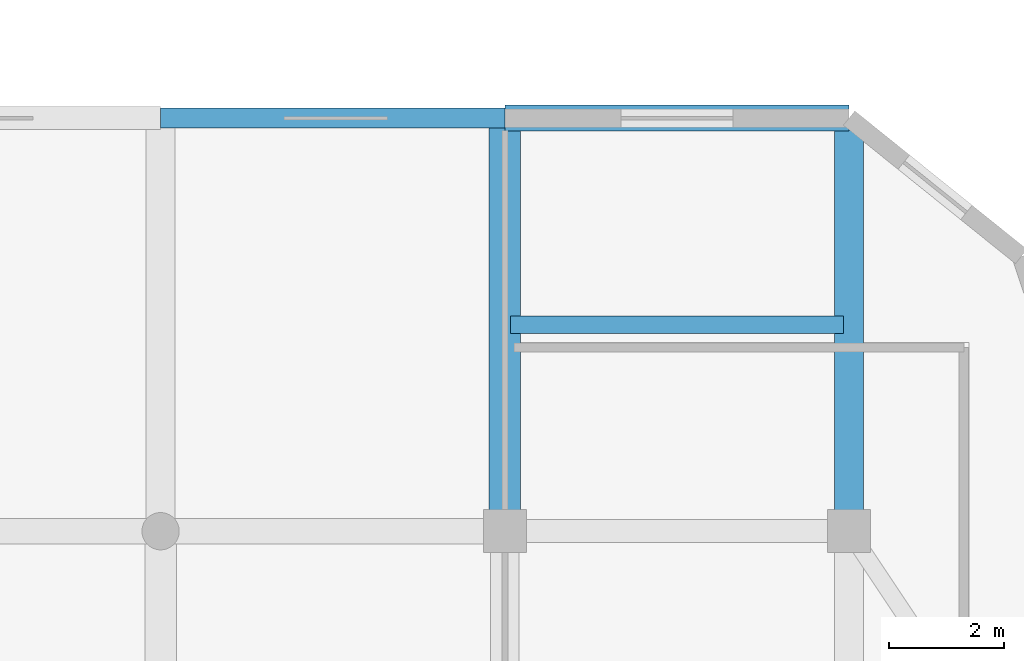
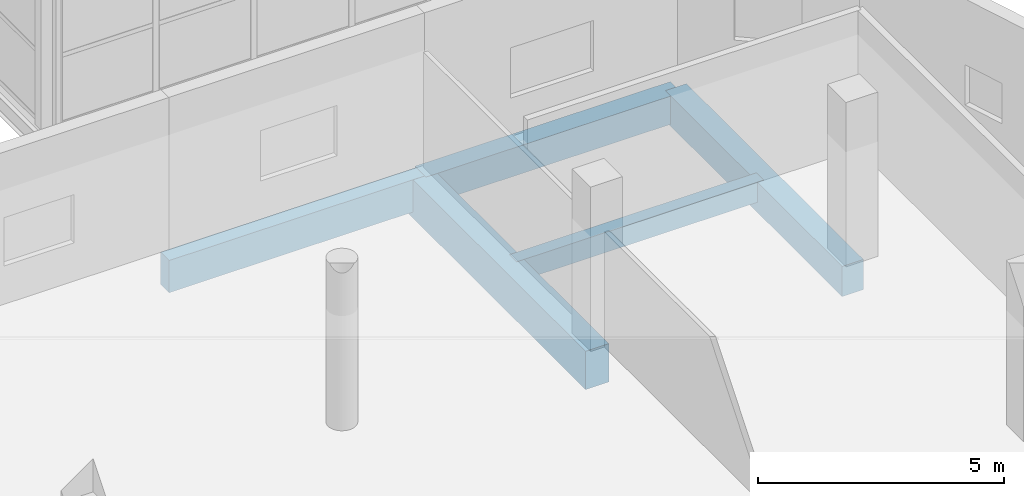
# One storey, part 26 of 127: 5 beams.
"""IFC4 building model written with IfcOpenShell, lengths in metres."""

from ifc_helpers import new_model, si_unit, direction, frame, origin, origin_2d, place, context, subcontext, project, spatial, rectangle, extrude, material, material_profile, profile_set, type_object, element, save


model = new_model("IFC4")

# Units and contexts
model_context = context("Model", 3, precision=1e-05, world=origin(), true_north=direction((0.0, 1.0)))
body_context = subcontext(model_context, "Body", "Model", "MODEL_VIEW")
ifc_project = project(units=[si_unit("LENGTHUNIT", "METRE"), si_unit("AREAUNIT", "SQUARE_METRE"), si_unit("VOLUMEUNIT", "CUBIC_METRE"), si_unit("PLANEANGLEUNIT", "RADIAN"), si_unit("MASSUNIT", "GRAM", prefix="KILO")], contexts=[model_context])

# Site, building, storey
site_placement = place(None, origin())
site = spatial("IfcSite", under=ifc_project, at=site_placement, CompositionType="ELEMENT")
building_placement = place(site_placement, origin())
building = spatial("IfcBuilding", under=site, at=building_placement, Name="Dunvalen Ferry Terminal", CompositionType="ELEMENT")
storey_placement = place(building_placement, frame((0.0, 0.0, 5.760009765625)))
storey = spatial("IfcBuildingStorey", under=building, at=storey_placement, Name="L01", CompositionType="ELEMENT", Elevation=5.760009765625)

# Beams
ifc_material_1 = material(Name="Concrete C35/45", Category="concrete")
ifc_material_profile_1 = material_profile(ifc_material_1, rectangle(XDim=0.300048828125, YDim=0.5, at=origin_2d()), Name="Concrete C35/45")
ifc_profile_set_1 = profile_set([ifc_material_profile_1], Name="Concrete C35/45")
beam_type_1 = type_object("IfcBeamType", Name="STR-BM-RCB500", PredefinedType="JOIST", material=ifc_profile_set_1)
beam_1_placement = place(storey_placement, frame((84.10009765625, 32.39990234375, -0.510009765625), z_axis=(1.0, 0.0, 0.0), x_axis=(0.0, 1.0, 0.0)))
element("IfcBeam", 1, at=beam_1_placement, inside=storey, type_object=beam_type_1, Name="L01 V5P0 Secondary Joist 008", PredefinedType="JOIST", context=body_context, shape_type="SweptSolid", body=[
    extrude(rectangle(XDim=0.300048828125, YDim=0.5, at=origin_2d()), origin(), (0.0, 0.0, 1.0), 5.7998046875),
])
ifc_material_2 = material(Name="Concrete C40/50", Category="concrete")
ifc_material_profile_2 = material_profile(ifc_material_2, rectangle(XDim=0.449951171875, YDim=0.699951171875, at=origin_2d()), Name="Concrete C40/50")
ifc_profile_set_2 = profile_set([ifc_material_profile_2], Name="Concrete C40/50")
beam_type_2 = type_object("IfcBeamType", Name="STR-BM-RCB700", PredefinedType="BEAM", material=ifc_profile_set_2)
beam_2_placement = place(storey_placement, frame((84.0, 36.0, -0.610107421875), z_axis=(1.0, 0.0, 0.0), x_axis=(0.0, 1.0, 0.0)))
element("IfcBeam", 2, at=beam_2_placement, inside=storey, type_object=beam_type_2, Name="L01 V5P0 Primary Beam X-080", PredefinedType="BEAM", context=body_context, shape_type="SweptSolid", body=[
    extrude(rectangle(XDim=0.449951171875, YDim=0.699951171875, at=origin_2d()), origin(), (0.0, 0.0, 1.0), 6.0),
])
ifc_material_profile_3 = material_profile(ifc_material_2, rectangle(XDim=0.5, YDim=0.75, at=origin_2d()), Name="Concrete C40/50")
ifc_profile_set_3 = profile_set([ifc_material_profile_3], Name="Concrete C40/50")
beam_type_3 = type_object("IfcBeamType", Name="STR-BM-RCB750", PredefinedType="BEAM", material=ifc_profile_set_3)
beam_3_placement = place(storey_placement, frame((90.0, 28.800048828125, -0.635009765625), z_axis=(0.0, 1.0, 0.0), x_axis=(-1.0, 0.0, 0.0)))
element("IfcBeam", 3, at=beam_3_placement, inside=storey, type_object=beam_type_3, Name="L01 V5P0 Primary Girder Y-143", PredefinedType="BEAM", context=body_context, shape_type="SweptSolid", body=[
    extrude(rectangle(XDim=0.5, YDim=0.75, at=origin_2d()), origin(), (0.0, 0.0, 1.0), 7.199951171875),
])
ifc_material_profile_4 = material_profile(ifc_material_2, rectangle(XDim=0.550048828125, YDim=0.949951171875, at=origin_2d()), Name="Concrete C40/50")
ifc_profile_set_4 = profile_set([ifc_material_profile_4], Name="Concrete C40/50")
beam_type_4 = type_object("IfcBeamType", Name="STR-BM-RCG950", PredefinedType="BEAM", material=ifc_profile_set_4)
beam_4_placement = place(storey_placement, frame((84.0, 28.800048828125, -0.735107421875), z_axis=(0.0, 1.0, 0.0), x_axis=(-1.0, 0.0, 0.0)))
element("IfcBeam", 4, at=beam_4_placement, inside=storey, type_object=beam_type_4, Name="L01 V5P0 Primary Girder Y-138", PredefinedType="BEAM", context=body_context, shape_type="SweptSolid", body=[
    extrude(rectangle(XDim=0.550048828125, YDim=0.949951171875, at=origin_2d()), origin(), (0.0, 0.0, 1.0), 7.199951171875),
])
ifc_material_profile_5 = material_profile(ifc_material_2, rectangle(XDim=0.35009765625, YDim=0.800048828125, at=origin_2d()), Name="Concrete C40/50")
ifc_profile_set_5 = profile_set([ifc_material_profile_5], Name="Concrete C40/50")
beam_type_5 = type_object("IfcBeamType", Name="STR-BM-RCSP800", PredefinedType="SPANDREL", material=ifc_profile_set_5)
beam_5_placement = place(storey_placement, frame((78.0, 36.0, -0.659912109375), z_axis=(1.0, 0.0, 0.0), x_axis=(0.0, 1.0, 0.0)))
element("IfcBeam", 5, at=beam_5_placement, inside=storey, type_object=beam_type_5, Name="L01 V5P0 Primary Beam X-079", PredefinedType="SPANDREL", context=body_context, shape_type="SweptSolid", body=[
    extrude(rectangle(XDim=0.35009765625, YDim=0.800048828125, at=origin_2d()), origin(), (0.0, 0.0, 1.0), 6.0),
])

save(model, "model.ifc")
